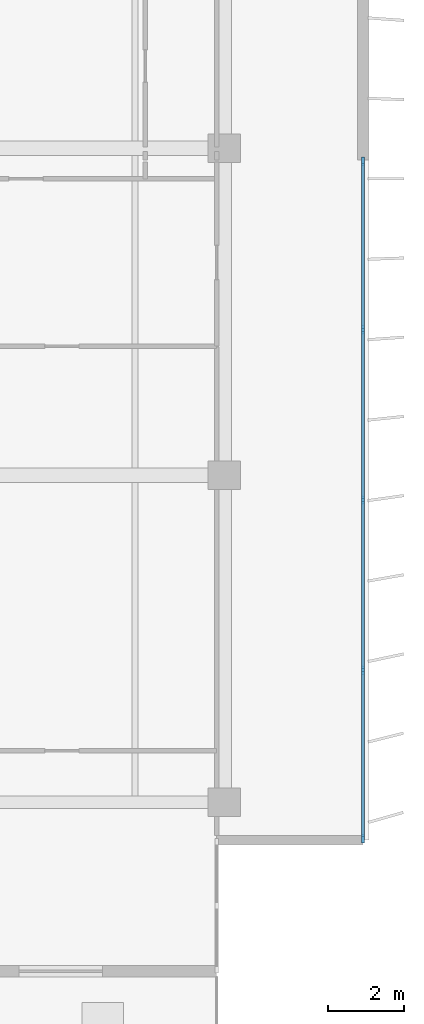
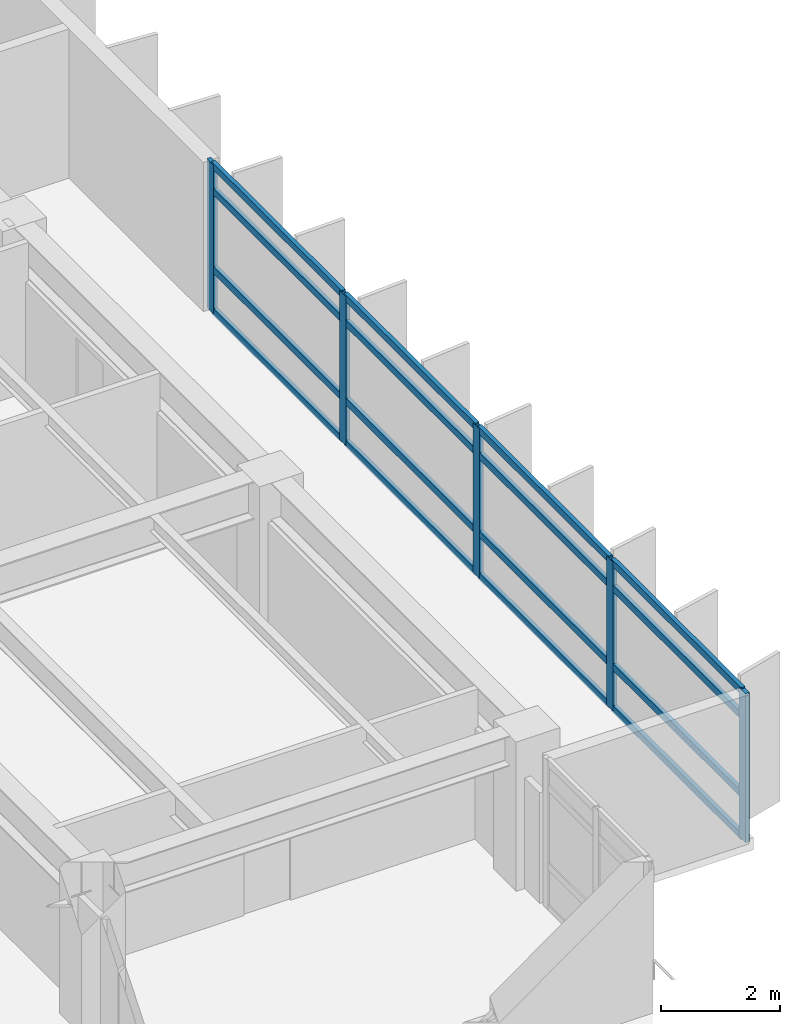
# One storey, part 6 of 19: 21 members, 1 element without a shape of its own.
"""IFC4 building model written with IfcOpenShell, lengths in metres."""

from ifc_helpers import new_model, si_unit, direction, frame, origin, origin_2d, place, context, subcontext, project, spatial, rectangle, extrude, material, layer, layer_set, material_profile, profile_set, type_object, element, aggregate, save


model = new_model("IFC4")

# Units and contexts
model_context = context("Model", 3, precision=1e-05, world=origin(), true_north=direction((0.0, 1.0)))
body_context = subcontext(model_context, "Body", "Model", "MODEL_VIEW")
ifc_project = project(units=[si_unit("LENGTHUNIT", "METRE"), si_unit("AREAUNIT", "SQUARE_METRE"), si_unit("VOLUMEUNIT", "CUBIC_METRE"), si_unit("PLANEANGLEUNIT", "RADIAN"), si_unit("MASSUNIT", "GRAM", prefix="KILO")], contexts=[model_context])

# Site, building, storey
site_placement = place(None, origin())
site = spatial("IfcSite", under=ifc_project, at=site_placement, CompositionType="ELEMENT")
building_placement = place(site_placement, origin())
building = spatial("IfcBuilding", under=site, at=building_placement, Name="Caelmar Bay Residences", CompositionType="ELEMENT")
storey_placement = place(building_placement, frame((0.0, 0.0, 167.10009765625)))
storey = spatial("IfcBuildingStorey", under=building, at=storey_placement, Name="L46", CompositionType="ELEMENT", Elevation=167.10009765625)

# Curtain wall, members
ifc_material_1 = material(Name="Anodised bronze aluminium 6063-T6 and laminated glass", Category="aluminium")
ifc_layer = layer(ifc_material_1, 0.179931640625)
ifc_layer_set = layer_set([ifc_layer], Name="Anodised bronze aluminium 6063-T6 and laminated glass")
curtain_wall_type = type_object("IfcCurtainWallType", Name="CW4-Z3", PredefinedType="NOTDEFINED", material=ifc_layer_set)
curtain_wall_placement = place(storey_placement, origin())
curtain_wall = element("IfcCurtainWall", 1, at=curtain_wall_placement, inside=storey, type_object=curtain_wall_type, Name="CW4 curtain wall L46", PredefinedType="NOTDEFINED")
ifc_material_2 = material(Name="Anodised bronze aluminium 6063-T6", Category="aluminium")
ifc_material_profile_1 = material_profile(ifc_material_2, rectangle(XDim=0.080078125, YDim=0.219970703125, at=origin_2d()), Name="CWM-80X220")
ifc_profile_set_1 = profile_set([ifc_material_profile_1], Name="Anodised bronze aluminium 6063-T6")
member_type_1 = type_object("IfcMemberType", Name="CWM-220", PredefinedType="MULLION", material=ifc_profile_set_1)
member_1_placement = place(storey_placement, frame((71.550048828125, 29.06005859375, 0.0), z_axis=(0.0, 0.0, 1.0), x_axis=(1.0, 0.0, 0.0)))
member_1 = element("IfcMember", 2, at=member_1_placement, type_object=member_type_1, Name="CW4 mullion 1", PredefinedType="MULLION", context=body_context, shape_type="SweptSolid", body=[
    extrude(rectangle(XDim=0.080078125, YDim=0.219970703125, at=origin_2d()), origin(), (0.0, 0.0, 1.0), 3.0498046875),
])
member_2_placement = place(storey_placement, frame((71.550048828125, 24.625, 0.0), z_axis=(0.0, 0.0, 1.0), x_axis=(1.0, 0.0, 0.0)))
member_2 = element("IfcMember", 3, at=member_2_placement, type_object=member_type_1, Name="CW4 mullion 2", PredefinedType="MULLION", context=body_context, shape_type="SweptSolid", body=[
    extrude(rectangle(XDim=0.080078125, YDim=0.219970703125, at=origin_2d()), origin(), (0.0, 0.0, 1.0), 3.0498046875),
])
member_3_placement = place(storey_placement, frame((71.550048828125, 20.14990234375, 0.0), z_axis=(0.0, 0.0, 1.0), x_axis=(1.0, 0.0, 0.0)))
member_3 = element("IfcMember", 4, at=member_3_placement, type_object=member_type_1, Name="CW4 mullion 3", PredefinedType="MULLION", context=body_context, shape_type="SweptSolid", body=[
    extrude(rectangle(XDim=0.080078125, YDim=0.219970703125, at=origin_2d()), origin(), (0.0, 0.0, 1.0), 3.0498046875),
])
member_4_placement = place(storey_placement, frame((71.550048828125, 15.675048828125, 0.0), z_axis=(0.0, 0.0, 1.0), x_axis=(1.0, 0.0, 0.0)))
member_4 = element("IfcMember", 5, at=member_4_placement, type_object=member_type_1, Name="CW4 mullion 4", PredefinedType="MULLION", context=body_context, shape_type="SweptSolid", body=[
    extrude(rectangle(XDim=0.080078125, YDim=0.219970703125, at=origin_2d()), origin(), (0.0, 0.0, 1.0), 3.0498046875),
])
member_5_placement = place(storey_placement, frame((71.550048828125, 11.239990234375, 0.0), z_axis=(0.0, 0.0, 1.0), x_axis=(1.0, 0.0, 0.0)))
member_5 = element("IfcMember", 6, at=member_5_placement, type_object=member_type_1, Name="CW4 mullion 5", PredefinedType="MULLION", context=body_context, shape_type="SweptSolid", body=[
    extrude(rectangle(XDim=0.080078125, YDim=0.219970703125, at=origin_2d()), origin(), (0.0, 0.0, 1.0), 3.0498046875),
])
ifc_material_profile_2 = material_profile(ifc_material_2, rectangle(XDim=0.080078125, YDim=0.139892578125, at=origin_2d()), Name="CWT-80X140")
ifc_profile_set_2 = profile_set([ifc_material_profile_2], Name="Anodised bronze aluminium 6063-T6")
member_type_2 = type_object("IfcMemberType", Name="CWT-140", PredefinedType="NOTDEFINED", material=ifc_profile_set_2)
member_6_placement = place(storey_placement, frame((71.550048828125, 29.02001953125, 0.039794921875), z_axis=(0.0, -1.0, 0.0), x_axis=(1.0, 0.0, 0.0)))
member_6 = element("IfcMember", 7, at=member_6_placement, type_object=member_type_2, Name="CW4 transom 1.1", ObjectType="TRANSOM", PredefinedType="USERDEFINED", context=body_context, shape_type="SweptSolid", body=[
    extrude(rectangle(XDim=0.080078125, YDim=0.139892578125, at=origin_2d()), origin(), (0.0, 0.0, 1.0), 4.35498046875),
])
member_7_placement = place(storey_placement, frame((71.550048828125, 29.02001953125, 0.89990234375), z_axis=(0.0, -1.0, 0.0), x_axis=(1.0, 0.0, 0.0)))
member_7 = element("IfcMember", 8, at=member_7_placement, type_object=member_type_2, Name="CW4 transom 1.2", ObjectType="TRANSOM", PredefinedType="USERDEFINED", context=body_context, shape_type="SweptSolid", body=[
    extrude(rectangle(XDim=0.080078125, YDim=0.139892578125, at=origin_2d()), origin(), (0.0, 0.0, 1.0), 4.35498046875),
])
member_8_placement = place(storey_placement, frame((71.550048828125, 29.02001953125, 2.5), z_axis=(0.0, -1.0, 0.0), x_axis=(1.0, 0.0, 0.0)))
member_8 = element("IfcMember", 9, at=member_8_placement, type_object=member_type_2, Name="CW4 transom 1.3", ObjectType="TRANSOM", PredefinedType="USERDEFINED", context=body_context, shape_type="SweptSolid", body=[
    extrude(rectangle(XDim=0.080078125, YDim=0.139892578125, at=origin_2d()), origin(), (0.0, 0.0, 1.0), 4.35498046875),
])
member_9_placement = place(storey_placement, frame((71.550048828125, 29.02001953125, 3.010009765625), z_axis=(0.0, -1.0, 0.0), x_axis=(1.0, 0.0, 0.0)))
member_9 = element("IfcMember", 10, at=member_9_placement, type_object=member_type_2, Name="CW4 transom 1.4", ObjectType="TRANSOM", PredefinedType="USERDEFINED", context=body_context, shape_type="SweptSolid", body=[
    extrude(rectangle(XDim=0.080078125, YDim=0.139892578125, at=origin_2d()), origin(), (0.0, 0.0, 1.0), 4.35498046875),
])
member_10_placement = place(storey_placement, frame((71.550048828125, 24.5849609375, 0.039794921875), z_axis=(0.0, -1.0, 0.0), x_axis=(1.0, 0.0, 0.0)))
member_10 = element("IfcMember", 11, at=member_10_placement, type_object=member_type_2, Name="CW4 transom 2.1", ObjectType="TRANSOM", PredefinedType="USERDEFINED", context=body_context, shape_type="SweptSolid", body=[
    extrude(rectangle(XDim=0.080078125, YDim=0.139892578125, at=origin_2d()), origin(), (0.0, 0.0, 1.0), 4.39501953125),
])
member_11_placement = place(storey_placement, frame((71.550048828125, 24.5849609375, 0.89990234375), z_axis=(0.0, -1.0, 0.0), x_axis=(1.0, 0.0, 0.0)))
member_11 = element("IfcMember", 12, at=member_11_placement, type_object=member_type_2, Name="CW4 transom 2.2", ObjectType="TRANSOM", PredefinedType="USERDEFINED", context=body_context, shape_type="SweptSolid", body=[
    extrude(rectangle(XDim=0.080078125, YDim=0.139892578125, at=origin_2d()), origin(), (0.0, 0.0, 1.0), 4.39501953125),
])
member_12_placement = place(storey_placement, frame((71.550048828125, 24.5849609375, 2.5), z_axis=(0.0, -1.0, 0.0), x_axis=(1.0, 0.0, 0.0)))
member_12 = element("IfcMember", 13, at=member_12_placement, type_object=member_type_2, Name="CW4 transom 2.3", ObjectType="TRANSOM", PredefinedType="USERDEFINED", context=body_context, shape_type="SweptSolid", body=[
    extrude(rectangle(XDim=0.080078125, YDim=0.139892578125, at=origin_2d()), origin(), (0.0, 0.0, 1.0), 4.39501953125),
])
member_13_placement = place(storey_placement, frame((71.550048828125, 24.5849609375, 3.010009765625), z_axis=(0.0, -1.0, 0.0), x_axis=(1.0, 0.0, 0.0)))
member_13 = element("IfcMember", 14, at=member_13_placement, type_object=member_type_2, Name="CW4 transom 2.4", ObjectType="TRANSOM", PredefinedType="USERDEFINED", context=body_context, shape_type="SweptSolid", body=[
    extrude(rectangle(XDim=0.080078125, YDim=0.139892578125, at=origin_2d()), origin(), (0.0, 0.0, 1.0), 4.39501953125),
])
member_14_placement = place(storey_placement, frame((71.550048828125, 20.110107421875, 0.039794921875), z_axis=(0.0, -1.0, 0.0), x_axis=(1.0, 0.0, 0.0)))
member_14 = element("IfcMember", 15, at=member_14_placement, type_object=member_type_2, Name="CW4 transom 3.1", ObjectType="TRANSOM", PredefinedType="USERDEFINED", context=body_context, shape_type="SweptSolid", body=[
    extrude(rectangle(XDim=0.080078125, YDim=0.139892578125, at=origin_2d()), origin(), (0.0, 0.0, 1.0), 4.39501953125),
])
member_15_placement = place(storey_placement, frame((71.550048828125, 20.110107421875, 0.89990234375), z_axis=(0.0, -1.0, 0.0), x_axis=(1.0, 0.0, 0.0)))
member_15 = element("IfcMember", 16, at=member_15_placement, type_object=member_type_2, Name="CW4 transom 3.2", ObjectType="TRANSOM", PredefinedType="USERDEFINED", context=body_context, shape_type="SweptSolid", body=[
    extrude(rectangle(XDim=0.080078125, YDim=0.139892578125, at=origin_2d()), origin(), (0.0, 0.0, 1.0), 4.39501953125),
])
member_16_placement = place(storey_placement, frame((71.550048828125, 20.110107421875, 2.5), z_axis=(0.0, -1.0, 0.0), x_axis=(1.0, 0.0, 0.0)))
member_16 = element("IfcMember", 17, at=member_16_placement, type_object=member_type_2, Name="CW4 transom 3.3", ObjectType="TRANSOM", PredefinedType="USERDEFINED", context=body_context, shape_type="SweptSolid", body=[
    extrude(rectangle(XDim=0.080078125, YDim=0.139892578125, at=origin_2d()), origin(), (0.0, 0.0, 1.0), 4.39501953125),
])
member_17_placement = place(storey_placement, frame((71.550048828125, 20.110107421875, 3.010009765625), z_axis=(0.0, -1.0, 0.0), x_axis=(1.0, 0.0, 0.0)))
member_17 = element("IfcMember", 18, at=member_17_placement, type_object=member_type_2, Name="CW4 transom 3.4", ObjectType="TRANSOM", PredefinedType="USERDEFINED", context=body_context, shape_type="SweptSolid", body=[
    extrude(rectangle(XDim=0.080078125, YDim=0.139892578125, at=origin_2d()), origin(), (0.0, 0.0, 1.0), 4.39501953125),
])
member_18_placement = place(storey_placement, frame((71.550048828125, 15.635009765625, 0.039794921875), z_axis=(0.0, -1.0, 0.0), x_axis=(1.0, 0.0, 0.0)))
member_18 = element("IfcMember", 19, at=member_18_placement, type_object=member_type_2, Name="CW4 transom 4.1", ObjectType="TRANSOM", PredefinedType="USERDEFINED", context=body_context, shape_type="SweptSolid", body=[
    extrude(rectangle(XDim=0.080078125, YDim=0.139892578125, at=origin_2d()), origin(), (0.0, 0.0, 1.0), 4.35498046875),
])
member_19_placement = place(storey_placement, frame((71.550048828125, 15.635009765625, 0.89990234375), z_axis=(0.0, -1.0, 0.0), x_axis=(1.0, 0.0, 0.0)))
member_19 = element("IfcMember", 20, at=member_19_placement, type_object=member_type_2, Name="CW4 transom 4.2", ObjectType="TRANSOM", PredefinedType="USERDEFINED", context=body_context, shape_type="SweptSolid", body=[
    extrude(rectangle(XDim=0.080078125, YDim=0.139892578125, at=origin_2d()), origin(), (0.0, 0.0, 1.0), 4.35498046875),
])
member_20_placement = place(storey_placement, frame((71.550048828125, 15.635009765625, 2.5), z_axis=(0.0, -1.0, 0.0), x_axis=(1.0, 0.0, 0.0)))
member_20 = element("IfcMember", 21, at=member_20_placement, type_object=member_type_2, Name="CW4 transom 4.3", ObjectType="TRANSOM", PredefinedType="USERDEFINED", context=body_context, shape_type="SweptSolid", body=[
    extrude(rectangle(XDim=0.080078125, YDim=0.139892578125, at=origin_2d()), origin(), (0.0, 0.0, 1.0), 4.35498046875),
])
member_21_placement = place(storey_placement, frame((71.550048828125, 15.635009765625, 3.010009765625), z_axis=(0.0, -1.0, 0.0), x_axis=(1.0, 0.0, 0.0)))
member_21 = element("IfcMember", 22, at=member_21_placement, type_object=member_type_2, Name="CW4 transom 4.4", ObjectType="TRANSOM", PredefinedType="USERDEFINED", context=body_context, shape_type="SweptSolid", body=[
    extrude(rectangle(XDim=0.080078125, YDim=0.139892578125, at=origin_2d()), origin(), (0.0, 0.0, 1.0), 4.35498046875),
])
aggregate(curtain_wall, [member_1, member_2, member_3, member_4, member_5, member_6, member_7, member_8, member_9, member_10, member_11, member_12, member_13, member_14, member_15, member_16, member_17, member_18, member_19, member_20, member_21])

save(model, "model.ifc")
